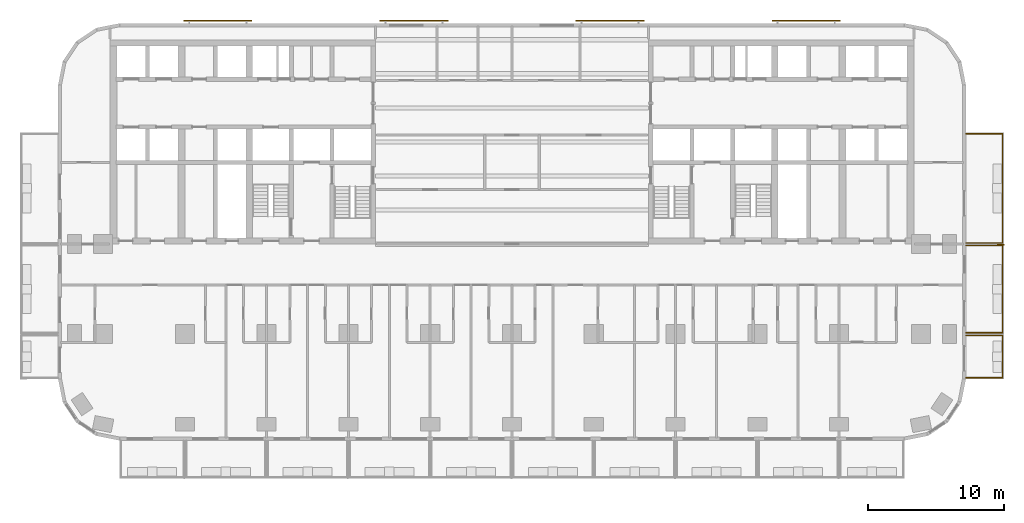
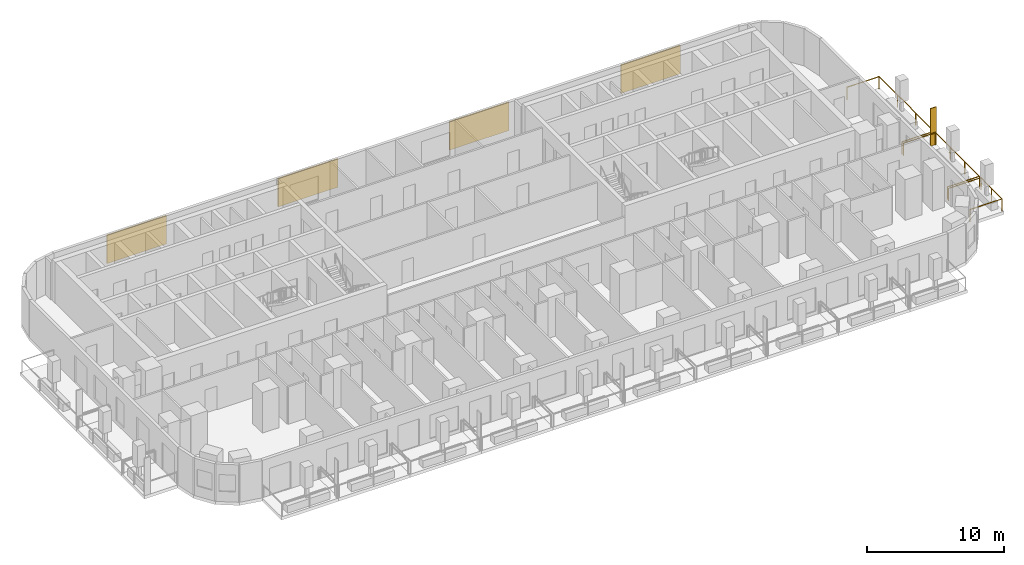
# One storey, part 13 of 14: 5 shading devices, 3 railings.
"""IFC4 building model written with IfcOpenShell, lengths in metres."""

from ifc_helpers import new_model, si_unit, direction, frame, origin, origin_2d, place, context, subcontext, project, spatial, rectangle, circle, extrude, material, layer, layer_set, type_object, element, save


model = new_model("IFC4")

# Units and contexts
model_context = context("Model", 3, precision=1e-05, world=origin(), true_north=direction((0.0, 1.0)))
body_context = subcontext(model_context, "Body", "Model", "MODEL_VIEW")
ifc_project = project(units=[si_unit("LENGTHUNIT", "METRE"), si_unit("AREAUNIT", "SQUARE_METRE"), si_unit("VOLUMEUNIT", "CUBIC_METRE"), si_unit("PLANEANGLEUNIT", "RADIAN"), si_unit("MASSUNIT", "GRAM", prefix="KILO")], contexts=[model_context])

# Site, building, storey
site_placement = place(None, origin())
site = spatial("IfcSite", under=ifc_project, at=site_placement, CompositionType="ELEMENT")
building_placement = place(site_placement, origin())
building = spatial("IfcBuilding", under=site, at=building_placement, Name="Torana Hotel and Residences", CompositionType="ELEMENT")
storey_placement = place(building_placement, frame((0.0, 0.0, 38.39990234375)))
storey = spatial("IfcBuildingStorey", under=building, at=storey_placement, Name="L08", CompositionType="ELEMENT", Elevation=38.39990234375)

# Shading device
ifc_material_1 = material(Name="Black powder coated aluminium", Category="aluminium")
ifc_layer_1 = layer(ifc_material_1, 0.080078125)
ifc_layer_set_1 = layer_set([ifc_layer_1], Name="FN1 VERTICAL FIN 500x80")
shading_device_type_1 = type_object("IfcShadingDeviceType", Name="FN1 VERTICAL FIN 500x80", PredefinedType="USERDEFINED", material=ifc_layer_set_1)
shading_device_placement = place(storey_placement, frame((35.85009765625, -15.0400390625, 0.0), z_axis=(0.0, 0.0, 1.0), x_axis=(0.0, -1.0, 0.0)))
element("IfcShadingDevice", 1, at=shading_device_placement, inside=storey, type_object=shading_device_type_1, Name="Fin 15", ObjectType="FIN", PredefinedType="USERDEFINED", context=body_context, shape_type="SweptSolid", body=[
    extrude(rectangle(XDim=0.080078125, YDim=0.5, at=origin_2d()), origin(), (0.0, 0.0, 1.0), 3.320068359375),
])

# Railings
ifc_material_2 = material(Name="Laminated glass balustrade with black handrail", Category="glass")
railing_type = type_object("IfcRailingType", Name="GR1 BALCONY GUARD 1100 GLASS", PredefinedType="GUARDRAIL", material=ifc_material_2)
railing_1_placement = place(storey_placement, frame((33.300048828125, -21.699951171875, 0.0)))
element("IfcRailing", 2, at=railing_1_placement, inside=storey, type_object=railing_type, Name="Balcony guard 14", PredefinedType="GUARDRAIL", context=body_context, shape_type="SweptSolid", body=[
    extrude(circle(Radius=0.02392578125, at=origin_2d()), frame((0.0, 0.0, 1.076171875), z_axis=(1.0, 0.0, 0.0), x_axis=(0.0, 1.0, 0.0)), (0.0, 0.0, 1.0), 2.699951171875),
    extrude(circle(Radius=0.02392578125, at=origin_2d()), frame((2.699951171875, 0.0, 1.076171875), z_axis=(0.0, -1.0, 0.0), x_axis=(1.0, 0.0, 0.0)), (0.0, 0.0, 1.0), 3.10009765625),
    extrude(circle(Radius=0.02392578125, at=origin_2d()), frame((2.699951171875, -3.10009765625, 1.076171875), z_axis=(-1.0, 0.0, 0.0), x_axis=(0.0, -1.0, 0.0)), (0.0, 0.0, 1.0), 2.699951171875),
    extrude(circle(Radius=0.02099609375, at=origin_2d()), origin(), (0.0, 0.0, 1.0), 1.052001953125),
    extrude(circle(Radius=0.02099609375, at=origin_2d()), frame((2.699951171875, 0.0, 0.0)), (0.0, 0.0, 1.0), 1.052001953125),
    extrude(circle(Radius=0.02099609375, at=origin_2d()), frame((2.699951171875, -1.550048828125, 0.0)), (0.0, 0.0, 1.0), 1.052001953125),
    extrude(circle(Radius=0.02099609375, at=origin_2d()), frame((2.699951171875, -3.10009765625, 0.0)), (0.0, 0.0, 1.0), 1.052001953125),
    extrude(circle(Radius=0.02099609375, at=origin_2d()), frame((0.0, -3.10009765625, 0.0)), (0.0, 0.0, 1.0), 1.052001953125),
])
railing_2_placement = place(storey_placement, frame((33.300048828125, -15.10009765625, 0.0)))
element("IfcRailing", 3, at=railing_2_placement, inside=storey, type_object=railing_type, Name="Balcony guard 15", PredefinedType="GUARDRAIL", context=body_context, shape_type="SweptSolid", body=[
    extrude(circle(Radius=0.02392578125, at=origin_2d()), frame((0.0, 0.0, 1.076171875), z_axis=(1.0, 0.0, 0.0), x_axis=(0.0, 1.0, 0.0)), (0.0, 0.0, 1.0), 2.699951171875),
    extrude(circle(Radius=0.02392578125, at=origin_2d()), frame((2.699951171875, 0.0, 1.076171875), z_axis=(0.0, -1.0, 0.0), x_axis=(1.0, 0.0, 0.0)), (0.0, 0.0, 1.0), 6.39990234375),
    extrude(circle(Radius=0.02392578125, at=origin_2d()), frame((2.699951171875, -6.39990234375, 1.076171875), z_axis=(-1.0, 0.0, 0.0), x_axis=(0.0, -1.0, 0.0)), (0.0, 0.0, 1.0), 2.699951171875),
    extrude(circle(Radius=0.02099609375, at=origin_2d()), origin(), (0.0, 0.0, 1.0), 1.052001953125),
    extrude(circle(Radius=0.02099609375, at=origin_2d()), frame((2.699951171875, 0.0, 0.0)), (0.0, 0.0, 1.0), 1.052001953125),
    extrude(circle(Radius=0.02099609375, at=origin_2d()), frame((2.699951171875, -2.13330078125, 0.0)), (0.0, 0.0, 1.0), 1.052001953125),
    extrude(circle(Radius=0.02099609375, at=origin_2d()), frame((2.699951171875, -4.2666015625, 0.0)), (0.0, 0.0, 1.0), 1.052001953125),
    extrude(circle(Radius=0.02099609375, at=origin_2d()), frame((2.699951171875, -6.39990234375, 0.0)), (0.0, 0.0, 1.0), 1.052001953125),
    extrude(circle(Radius=0.02099609375, at=origin_2d()), frame((0.0, -6.39990234375, 0.0)), (0.0, 0.0, 1.0), 1.052001953125),
])
railing_3_placement = place(storey_placement, frame((33.300048828125, -6.89990234375, 0.0)))
element("IfcRailing", 4, at=railing_3_placement, inside=storey, type_object=railing_type, Name="Balcony guard 16", PredefinedType="GUARDRAIL", context=body_context, shape_type="SweptSolid", body=[
    extrude(circle(Radius=0.02392578125, at=origin_2d()), frame((0.0, 0.0, 1.076171875), z_axis=(1.0, 0.0, 0.0), x_axis=(0.0, 1.0, 0.0)), (0.0, 0.0, 1.0), 2.699951171875),
    extrude(circle(Radius=0.02392578125, at=origin_2d()), frame((2.699951171875, 0.0, 1.076171875), z_axis=(0.0, -1.0, 0.0), x_axis=(1.0, 0.0, 0.0)), (0.0, 0.0, 1.0), 8.0),
    extrude(circle(Radius=0.02392578125, at=origin_2d()), frame((2.699951171875, -8.0, 1.076171875), z_axis=(-1.0, 0.0, 0.0), x_axis=(0.0, -1.0, 0.0)), (0.0, 0.0, 1.0), 2.699951171875),
    extrude(circle(Radius=0.02099609375, at=origin_2d()), origin(), (0.0, 0.0, 1.0), 1.052001953125),
    extrude(circle(Radius=0.02099609375, at=origin_2d()), frame((2.699951171875, 0.0, 0.0)), (0.0, 0.0, 1.0), 1.052001953125),
    extrude(circle(Radius=0.02099609375, at=origin_2d()), frame((2.699951171875, -2.666748046875, 0.0)), (0.0, 0.0, 1.0), 1.052001953125),
    extrude(circle(Radius=0.02099609375, at=origin_2d()), frame((2.699951171875, -5.333251953125, 0.0)), (0.0, 0.0, 1.0), 1.052001953125),
    extrude(circle(Radius=0.02099609375, at=origin_2d()), frame((2.699951171875, -8.0, 0.0)), (0.0, 0.0, 1.0), 1.052001953125),
    extrude(circle(Radius=0.02099609375, at=origin_2d()), frame((0.0, -8.0, 0.0)), (0.0, 0.0, 1.0), 1.052001953125),
])

# Shading devices
ifc_material_3 = material(Name="Concrete C40/50 precast", Category="concrete")
ifc_layer_2 = layer(ifc_material_3, 0.10009765625)
ifc_layer_set_2 = layer_set([ifc_layer_2], Name="SC1 PERFORATED BLOCK SCREEN PANEL 100")
shading_device_type_2 = type_object("IfcShadingDeviceType", Name="SC1 PERFORATED BLOCK SCREEN PANEL 100", PredefinedType="USERDEFINED", material=ifc_layer_set_2)
for number, where, z_axis, x_axis, name in (
    (5, (21.58154296875, 1.39990234375, 0.5), (0.0, 0.0, 1.0), (-1.0, 0.0, 0.0), "Perforated block screen L08"),
    (6, (7.19384765625, 1.39990234375, 0.5), (0.0, 0.0, 1.0), (-1.0, 0.0, 0.0), "Perforated block screen L08"),
    (7, (-7.19384765625, 1.39990234375, 0.5), (0.0, 0.0, 1.0), (-1.0, 0.0, 0.0), "Perforated block screen L08"),
    (8, (-21.58154296875, 1.39990234375, 0.5), (0.0, 0.0, 1.0), (-1.0, 0.0, 0.0), "Perforated block screen L08"),
):
    element("IfcShadingDevice", number, at=place(storey_placement, frame(where, z_axis=z_axis, x_axis=x_axis)), inside=storey, type_object=shading_device_type_2, Name=name, ObjectType="SCREEN", PredefinedType="USERDEFINED", context=body_context, shape_type="SweptSolid", body=[
        extrude(rectangle(XDim=5.0, YDim=0.10009765625, at=origin_2d()), origin(), (0.0, 0.0, 1.0), 2.52001953125),
    ])

save(model, "model.ifc")
